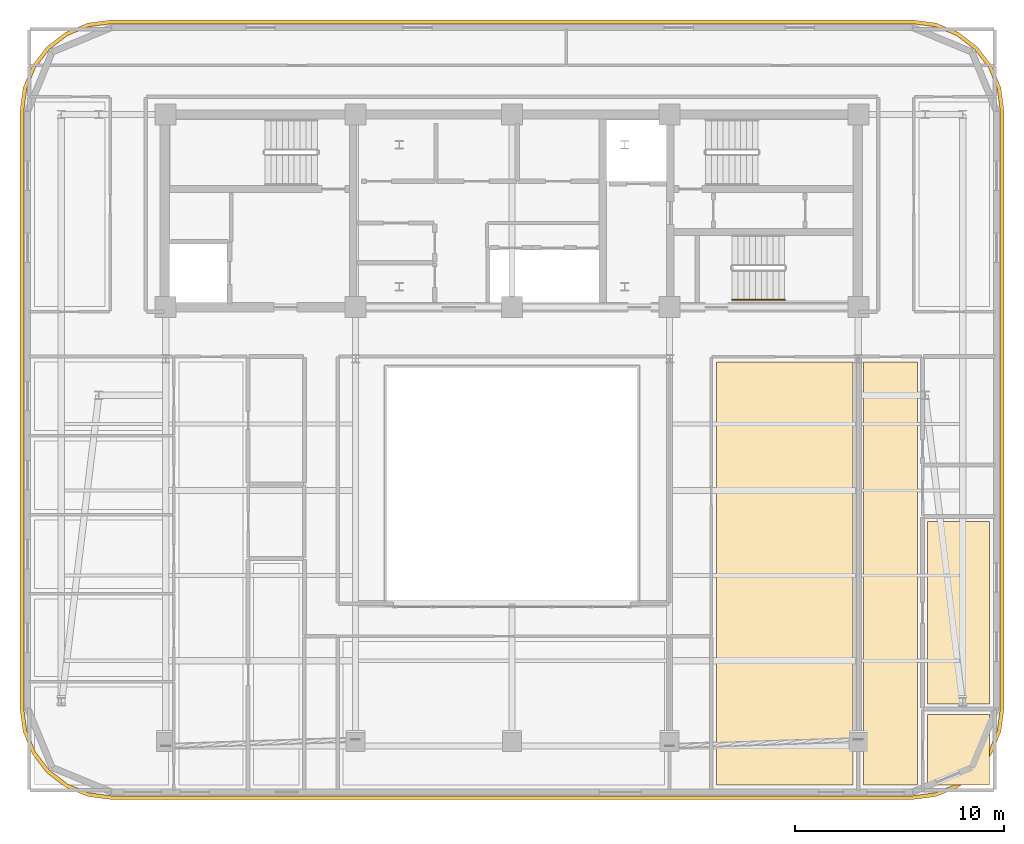
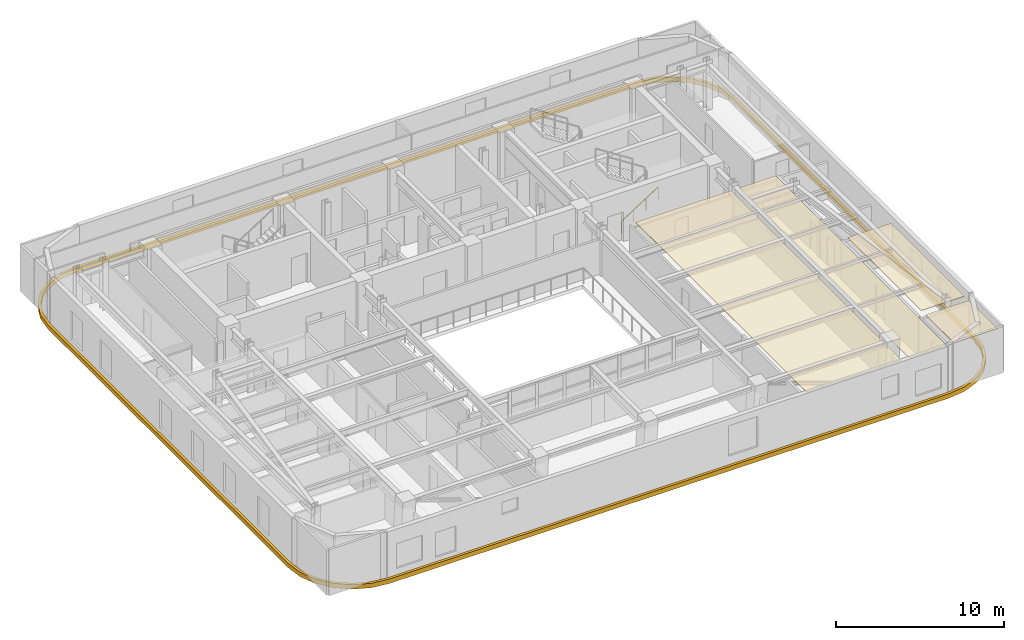
# One storey, part 13 of 14: 5 coverings, 1 railing.
"""IFC4 building model written with IfcOpenShell, lengths in metres."""

from ifc_helpers import new_model, si_unit, direction, frame, origin, origin_2d, place, context, subcontext, project, spatial, polyline, rectangle, outline, extrude, material, layer, layer_set, type_object, element, save


model = new_model("IFC4")

# Units and contexts
model_context = context("Model", 3, precision=1e-05, world=origin(), true_north=direction((0.0, 1.0)))
body_context = subcontext(model_context, "Body", "Model", "MODEL_VIEW")
ifc_project = project(units=[si_unit("LENGTHUNIT", "METRE"), si_unit("AREAUNIT", "SQUARE_METRE"), si_unit("VOLUMEUNIT", "CUBIC_METRE"), si_unit("PLANEANGLEUNIT", "RADIAN"), si_unit("MASSUNIT", "GRAM", prefix="KILO")], contexts=[model_context])

# Site, building, storey
site_placement = place(None, origin())
site = spatial("IfcSite", under=ifc_project, at=site_placement, CompositionType="ELEMENT")
building_placement = place(site_placement, origin())
building = spatial("IfcBuilding", under=site, at=building_placement, Name="Zarnavel Station Tower", CompositionType="ELEMENT")
storey_placement = place(building_placement, frame((0.0, 0.0, 211.199951171875)))
storey = spatial("IfcBuildingStorey", under=building, at=storey_placement, Name="L57", CompositionType="ELEMENT", Elevation=211.199951171875)

# Coverings
ifc_material_1 = material(Name="Perforated Gypsum and Mineral-Wool Acoustic Ceiling", Category="concrete")
ifc_layer = layer(ifc_material_1, 0.0400390625)
ifc_layer_set = layer_set([ifc_layer], Name="COV_CEIL_ACOUSTIC")
covering_type_1 = type_object("IfcCoveringType", Name="COV_CEIL_ACOUSTIC", PredefinedType="CEILING", material=ifc_layer_set)
covering_1_placement = place(storey_placement, frame((0.0, 0.0, 3.02001953125)))
element("IfcCovering", 1, at=covering_1_placement, inside=storey, type_object=covering_type_1, Name="L57 L57FIT Acoustic Ceiling", PredefinedType="CEILING", context=body_context, shape_type="SweptSolid", body=[
    extrude(outline(polyline([(38.60009765625, 4.909912109375), (45.14990234375, 4.909912109375), (45.14990234375, 25.199951171875), (38.60009765625, 25.199951171875), (38.60009765625, 4.909912109375)])), origin(), (0.0, 0.0, 1.0), 0.0400390625),
])
covering_2_placement = place(storey_placement, frame((0.0, 0.0, 3.02001953125)))
element("IfcCovering", 2, at=covering_2_placement, inside=storey, type_object=covering_type_1, Name="L57 UE1LV Acoustic Ceiling", PredefinedType="CEILING", context=body_context, shape_type="SweptSolid", body=[
    extrude(outline(polyline([(45.64990234375, 4.909912109375), (48.22412109375, 4.909912109375), (48.22412109375, 25.199951171875), (45.64990234375, 25.199951171875), (45.64990234375, 4.909912109375)])), origin(), (0.0, 0.0, 1.0), 0.0400390625),
])
covering_3_placement = place(storey_placement, frame((0.0, 0.0, 3.02001953125)))
element("IfcCovering", 3, at=covering_3_placement, inside=storey, type_object=covering_type_1, Name="L57 UE1B1 Acoustic Ceiling", PredefinedType="CEILING", context=body_context, shape_type="SweptSolid", body=[
    extrude(outline(polyline([(48.72412109375, 4.909912109375), (51.68994140625, 4.909912109375), (51.68994140625, 8.304931640625), (48.72412109375, 8.304931640625), (48.72412109375, 4.909912109375)])), origin(), (0.0, 0.0, 1.0), 0.0400390625),
])
covering_4_placement = place(storey_placement, frame((0.0, 0.0, 3.02001953125)))
element("IfcCovering", 4, at=covering_4_placement, inside=storey, type_object=covering_type_1, Name="L57 UE1KT Acoustic Ceiling", PredefinedType="CEILING", context=body_context, shape_type="SweptSolid", body=[
    extrude(outline(polyline([(48.72412109375, 8.804931640625), (51.68994140625, 8.804931640625), (51.68994140625, 17.5380859375), (48.72412109375, 17.5380859375), (48.72412109375, 8.804931640625)])), origin(), (0.0, 0.0, 1.0), 0.0400390625),
])
ifc_material_2 = material(Name="Precast concrete C45/55 (Pale Travertine Slab Band)", Category="masonry")
covering_type_2 = type_object("IfcCoveringType", Name="COV_TRAVERTINE_BAND", PredefinedType="CLADDING", material=ifc_material_2)
covering_5_placement = place(storey_placement, frame((0.0, 0.0, -0.260009765625)))
element("IfcCovering", 5, at=covering_5_placement, inside=storey, type_object=covering_type_2, Name="L57 Pale Travertine Slab-Edge Band", PredefinedType="CLADDING", context=body_context, shape_type="SweptSolid", body=[
    extrude(outline(polyline([(48.0, 4.219970703125), (49.133544921875, 4.369140625), (50.18994140625, 4.806884765625), (51.09716796875, 5.5029296875), (51.793212890625, 6.409912109375), (52.230712890625, 7.46630859375), (52.3798828125, 8.60009765625), (52.3798828125, 37.199951171875), (52.230712890625, 38.33349609375), (51.793212890625, 39.389892578125), (51.09716796875, 40.297119140625), (50.18994140625, 40.9931640625), (49.133544921875, 41.430908203125), (48.0, 41.580078125), (9.60009765625, 41.580078125), (8.46630859375, 41.430908203125), (7.409912109375, 40.9931640625), (6.5029296875, 40.297119140625), (5.806884765625, 39.389892578125), (5.369140625, 38.33349609375), (5.219970703125, 37.199951171875), (5.219970703125, 8.60009765625), (5.369140625, 7.46630859375), (5.806884765625, 6.409912109375), (6.5029296875, 5.5029296875), (7.409912109375, 4.806884765625), (8.46630859375, 4.369140625), (9.60009765625, 4.219970703125), (48.0, 4.219970703125)]), holes=[polyline([(48.0, 4.39990234375), (49.0869140625, 4.543212890625), (50.10009765625, 4.962646484375), (50.9697265625, 5.630126953125), (51.63720703125, 6.5), (52.056884765625, 7.512939453125), (52.199951171875, 8.60009765625), (52.199951171875, 37.199951171875), (52.056884765625, 38.287109375), (51.63720703125, 39.300048828125), (50.9697265625, 40.169921875), (50.10009765625, 40.83740234375), (49.0869140625, 41.2568359375), (48.0, 41.39990234375), (9.60009765625, 41.39990234375), (8.512939453125, 41.2568359375), (7.5, 40.83740234375), (6.630126953125, 40.169921875), (5.962646484375, 39.300048828125), (5.543212890625, 38.287109375), (5.39990234375, 37.199951171875), (5.39990234375, 8.60009765625), (5.543212890625, 7.512939453125), (5.962646484375, 6.5), (6.630126953125, 5.630126953125), (7.5, 4.962646484375), (8.512939453125, 4.543212890625), (9.60009765625, 4.39990234375), (48.0, 4.39990234375)])]), origin(), (0.0, 0.0, 1.0), 0.320068359375),
])

# Railing
ifc_material_3 = material(Name="Brushed Stainless Steel S355J2 Handrail", Category="steel")
railing_type = type_object("IfcRailingType", Name="HR_STAIR_900", PredefinedType="HANDRAIL", material=ifc_material_3)
railing_placement = place(storey_placement, frame((39.35009765625, 28.169921875, 0.179931640625)))
element("IfcRailing", 6, at=railing_placement, inside=storey, type_object=railing_type, Name="L57 ST3 stair handrail 1", PredefinedType="HANDRAIL", context=body_context, shape_type="SweptSolid", body=[
    extrude(rectangle(XDim=0.048095703125, YDim=0.048095703125, at=origin_2d()), frame((0.001708984375, 0.0, 0.876953125), z_axis=(0.841162588446, 0.0, 0.540782303519), x_axis=(0.0, 1.0, 0.0)), (0.0, 0.0, 1.0), 2.991943359375),
    extrude(rectangle(XDim=0.0419921875, YDim=0.0419921875, at=origin_2d()), origin(), (0.0, 0.0, 1.0), 0.851806640625),
    extrude(rectangle(XDim=0.0419921875, YDim=0.0419921875, at=origin_2d()), frame((0.840087890625, 0.0, 0.5400390625)), (0.0, 0.0, 1.0), 0.851806640625),
    extrude(rectangle(XDim=0.0419921875, YDim=0.0419921875, at=origin_2d()), frame((1.679931640625, 0.0, 1.080078125)), (0.0, 0.0, 1.0), 0.851806640625),
    extrude(rectangle(XDim=0.0419921875, YDim=0.0419921875, at=origin_2d()), frame((2.52001953125, 0.0, 1.6201171875)), (0.0, 0.0, 1.0), 0.851806640625),
])

save(model, "model.ifc")
